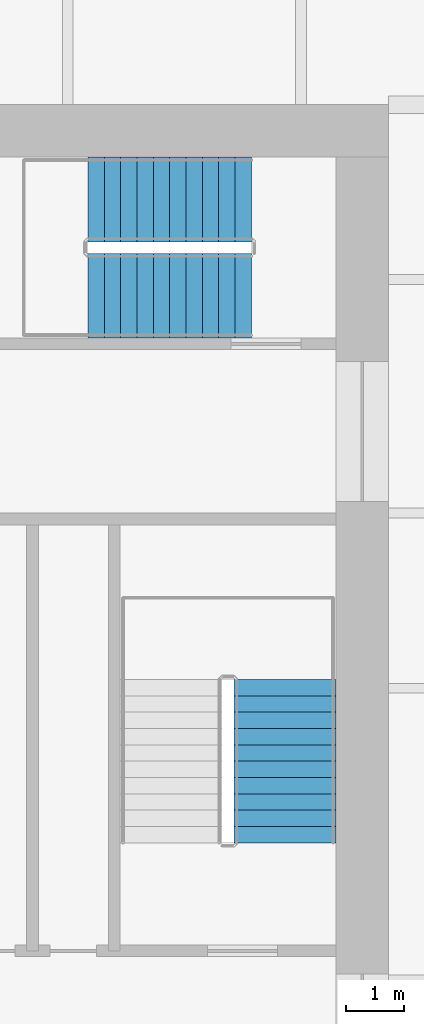
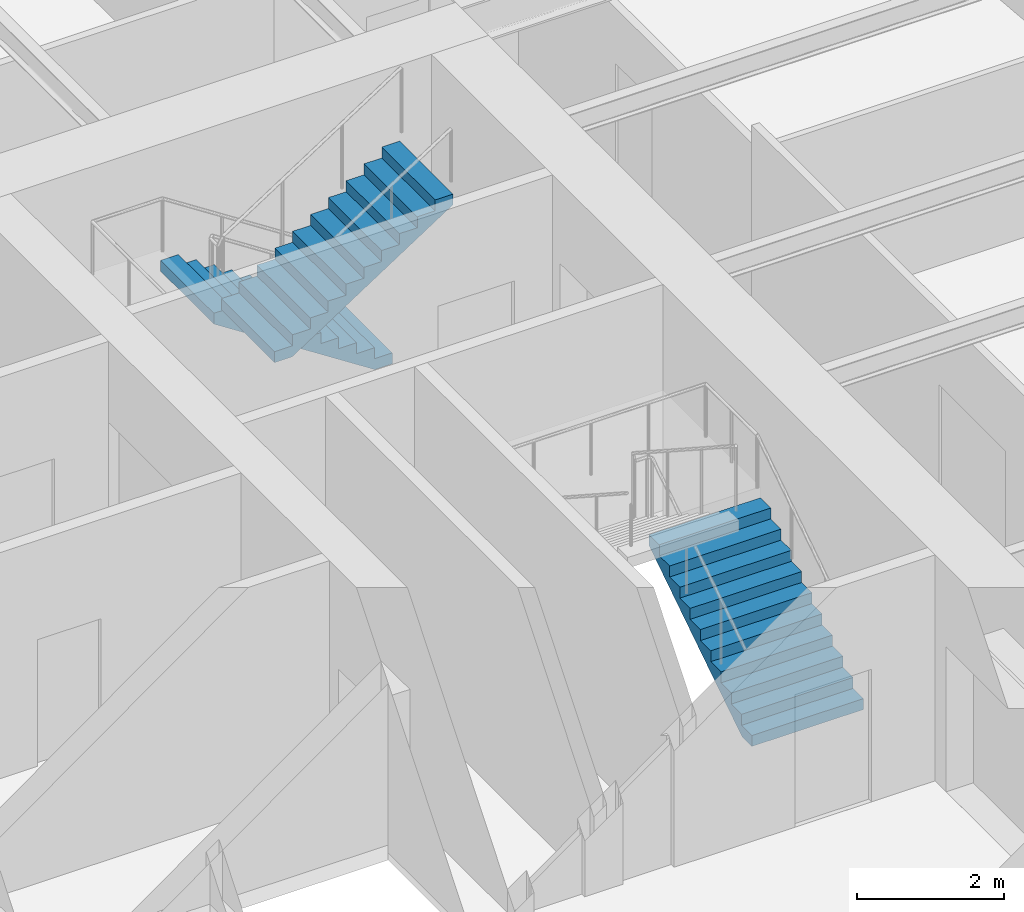
# One storey, part 8 of 10: 3 stair flights, 2 elements without a shape of their own.
"""IFC4 building model written with IfcOpenShell, lengths in metres."""

from ifc_helpers import new_model, si_unit, direction, frame, origin, place, context, subcontext, project, spatial, polyline, outline, extrude, material, type_object, element, aggregate, save


model = new_model("IFC4")

# Units and contexts
model_context = context("Model", 3, precision=1e-05, world=origin(), true_north=direction((0.0, 1.0)))
body_context = subcontext(model_context, "Body", "Model", "MODEL_VIEW")
ifc_project = project(units=[si_unit("LENGTHUNIT", "METRE"), si_unit("AREAUNIT", "SQUARE_METRE"), si_unit("VOLUMEUNIT", "CUBIC_METRE"), si_unit("PLANEANGLEUNIT", "RADIAN"), si_unit("MASSUNIT", "GRAM", prefix="KILO")], contexts=[model_context])

# Site, building, storey
site_placement = place(None, origin())
site = spatial("IfcSite", under=ifc_project, at=site_placement, CompositionType="ELEMENT")
building_placement = place(site_placement, origin())
building = spatial("IfcBuilding", under=site, at=building_placement, Name="Verdant Reach Tower", CompositionType="ELEMENT")
storey_placement = place(building_placement, frame((0.0, 0.0, 222.0)))
storey = spatial("IfcBuildingStorey", under=building, at=storey_placement, Name="L51", CompositionType="ELEMENT", Elevation=222.0)

# Stair, stair flight
ifc_material = material(Name="Concrete C40/50", Category="concrete")
stair_type = type_object("IfcStairType", Name="CO-STAIR", PredefinedType="HALF_TURN_STAIR", material=ifc_material)
stair_1_placement = place(storey_placement, origin())
stair_1 = element("IfcStair", 1, at=stair_1_placement, inside=storey, type_object=stair_type, Name="L51 Exit stair 2", PredefinedType="HALF_TURN_STAIR")
stair_flight_type = type_object("IfcStairFlightType", Name="CO-STAIR-FLIGHT", PredefinedType="STRAIGHT", material=ifc_material)
stair_flight_1_placement = place(storey_placement, frame((11.72509765625, 25.85009765625, 0.0), z_axis=(0.0, 0.0, 1.0), x_axis=(0.0, 1.0, 0.0)))
stair_flight_1 = element("IfcStairFlight", 2, at=stair_flight_1_placement, type_object=stair_flight_type, Name="ST-2 flight 1", NumberOfRisers=11, NumberOfTreads=10, PredefinedType="STRAIGHT", RiserHeight=0.181818182, TreadLength=0.28, context=body_context, shape_type="SweptSolid", body=[
    extrude(outline(polyline([(0.0, 0.0), (0.0, 0.181884765625), (0.280029296875, 0.181884765625), (0.280029296875, 0.363525390625), (0.56005859375, 0.363525390625), (0.56005859375, 0.54541015625), (0.840087890625, 0.54541015625), (0.840087890625, 0.727294921875), (1.1201171875, 0.727294921875), (1.1201171875, 0.9091796875), (1.39990234375, 0.9091796875), (1.39990234375, 1.0908203125), (1.679931640625, 1.0908203125), (1.679931640625, 1.272705078125), (1.9599609375, 1.272705078125), (1.9599609375, 1.45458984375), (2.239990234375, 1.45458984375), (2.239990234375, 1.636474609375), (2.52001953125, 1.636474609375), (2.52001953125, 1.818115234375), (2.800048828125, 1.818115234375), (2.800048828125, 2.0), (2.800048828125, 1.639404296875), (0.275146484375, 0.0), (0.0, 0.0)])), frame((0.0, 0.875, 0.0), z_axis=(0.0, -1.0, 0.0), x_axis=(1.0, 0.0, 0.0)), (0.0, 0.0, 1.0), 1.75),
])
aggregate(stair_1, [stair_flight_1])

# Stair, stair flights
stair_2_placement = place(storey_placement, origin())
stair_2 = element("IfcStair", 3, at=stair_2_placement, inside=storey, type_object=stair_type, Name="L51 Exit stair 3", PredefinedType="HALF_TURN_STAIR")
stair_flight_2_placement = place(storey_placement, frame((11.14990234375, 36.875, 0.0), z_axis=(0.0, 0.0, 1.0), x_axis=(-1.0, 0.0, 0.0)))
stair_flight_2 = element("IfcStairFlight", 4, at=stair_flight_2_placement, type_object=stair_flight_type, Name="ST-3 flight 1", NumberOfRisers=11, NumberOfTreads=10, PredefinedType="STRAIGHT", RiserHeight=0.181818182, TreadLength=0.28, context=body_context, shape_type="SweptSolid", body=[
    extrude(outline(polyline([(0.0, 0.0), (0.0, 0.181884765625), (0.280029296875, 0.181884765625), (0.280029296875, 0.363525390625), (0.56005859375, 0.363525390625), (0.56005859375, 0.54541015625), (0.840087890625, 0.54541015625), (0.840087890625, 0.727294921875), (1.1201171875, 0.727294921875), (1.1201171875, 0.9091796875), (1.39990234375, 0.9091796875), (1.39990234375, 1.0908203125), (1.679931640625, 1.0908203125), (1.679931640625, 1.272705078125), (1.9599609375, 1.272705078125), (1.9599609375, 1.45458984375), (2.239990234375, 1.45458984375), (2.239990234375, 1.636474609375), (2.52001953125, 1.636474609375), (2.52001953125, 1.818115234375), (2.800048828125, 1.818115234375), (2.800048828125, 2.0), (2.800048828125, 1.639404296875), (0.275146484375, 0.0), (0.0, 0.0)])), frame((0.0, 0.72509765625, 0.0), z_axis=(0.0, -1.0, 0.0), x_axis=(1.0, 0.0, 0.0)), (0.0, 0.0, 1.0), 1.449951171875),
])
stair_flight_3_placement = place(storey_placement, frame((8.35009765625, 35.22509765625, 2.0), z_axis=(0.0, 0.0, 1.0), x_axis=(1.0, 0.0, 0.0)))
stair_flight_3 = element("IfcStairFlight", 5, at=stair_flight_3_placement, type_object=stair_flight_type, Name="ST-3 flight 2", NumberOfRisers=11, NumberOfTreads=10, PredefinedType="STRAIGHT", RiserHeight=0.181818182, TreadLength=0.28, context=body_context, shape_type="SweptSolid", body=[
    extrude(outline(polyline([(0.0, 0.0), (0.0, 0.181884765625), (0.280029296875, 0.181884765625), (0.280029296875, 0.363525390625), (0.56005859375, 0.363525390625), (0.56005859375, 0.54541015625), (0.840087890625, 0.54541015625), (0.840087890625, 0.727294921875), (1.1201171875, 0.727294921875), (1.1201171875, 0.9091796875), (1.39990234375, 0.9091796875), (1.39990234375, 1.0908203125), (1.679931640625, 1.0908203125), (1.679931640625, 1.272705078125), (1.9599609375, 1.272705078125), (1.9599609375, 1.45458984375), (2.239990234375, 1.45458984375), (2.239990234375, 1.636474609375), (2.52001953125, 1.636474609375), (2.52001953125, 1.818115234375), (2.800048828125, 1.818115234375), (2.800048828125, 2.0), (2.800048828125, 1.639404296875), (0.275146484375, 0.0), (0.0, 0.0)])), frame((0.0, 0.72509765625, 0.0), z_axis=(0.0, -1.0, 0.0), x_axis=(1.0, 0.0, 0.0)), (0.0, 0.0, 1.0), 1.449951171875),
])
aggregate(stair_2, [stair_flight_2, stair_flight_3])

save(model, "model.ifc")
